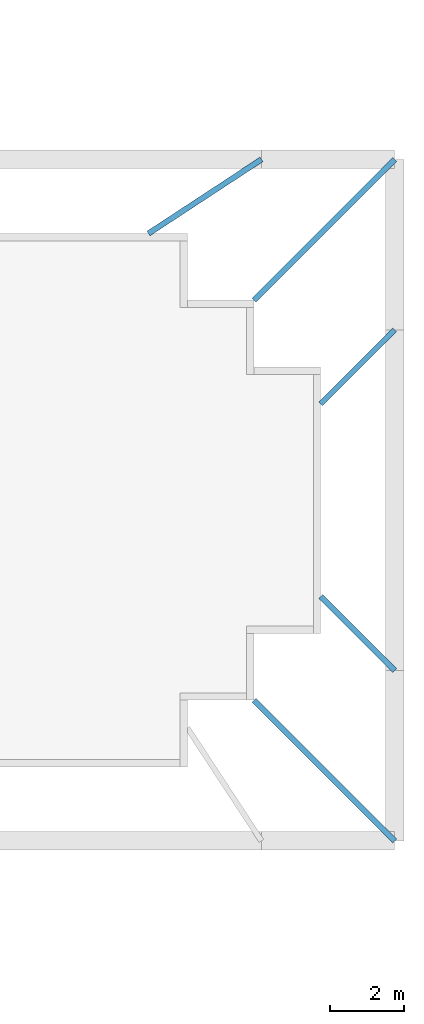
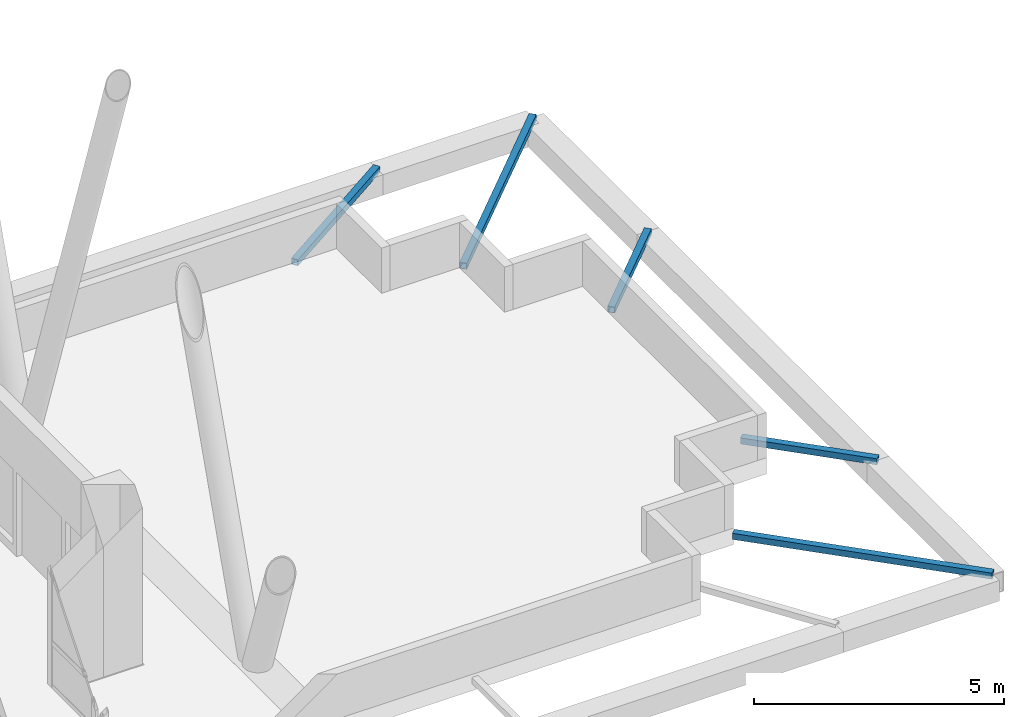
# One storey, part 17 of 19: 5 discrete accessories.
"""IFC4 building model written with IfcOpenShell, lengths in metres."""

import ifcopenshell
import ifcopenshell.guid

model = None  # the IFC model being written
_history = None  # IfcOwnerHistory: only IFC2X3 demands one
_inside = {}  # id of a spatial element -> (the spatial element, [elements in it])
_under = {}  # id of a project, library or spatial element -> (it, [spatial elements below it])
_declared = {}  # id of a project -> (the project, [libraries it declares])
_typed = {}  # id of a type object -> (the type object, [elements of that type])
_made_of = {}  # id of a material, layer set ... -> (it, [elements and type objects made of it])


def new_model(schema):
    """Start an empty IFC model of exactly this schema.

    Asked for "IFC4X3", IfcOpenShell would pick the latest addendum, in which some entities
    have other attributes; the version numbers below select the first issue.
    IFC2X3 requires an IfcOwnerHistory on every rooted entity: one is made here for all.
    """
    global model, _history
    if schema == "IFC4X3":
        model = ifcopenshell.file(schema_version=(4, 3, 0, 0))
    else:
        model = ifcopenshell.file(schema=schema)
    _inside.clear()
    _under.clear()
    _declared.clear()
    _typed.clear()
    _made_of.clear()
    _history = None
    if model.schema == "IFC2X3":
        org = make("IfcOrganization", Name="unknown")
        user = make(
            "IfcPersonAndOrganization",
            ThePerson=make("IfcPerson", FamilyName="unknown"),
            TheOrganization=org,
        )
        app = make(
            "IfcApplication",
            ApplicationDeveloper=org,
            Version="unknown",
            ApplicationFullName="unknown",
            ApplicationIdentifier="unknown",
        )
        _history = make(
            "IfcOwnerHistory",
            OwningUser=user,
            OwningApplication=app,
            ChangeAction="ADDED",
            CreationDate=0,
        )
    return model


def make(cls, **values):
    """One entity of the class cls with the attributes given. An attribute that is None is left unset."""
    return model.create_entity(
        cls, **{name: value for name, value in values.items() if value is not None}
    )


def rooted(cls, **values):
    """An entity with a GlobalId (a new one), such as an element, a storey or a relation."""
    return make(cls, GlobalId=ifcopenshell.guid.new(), OwnerHistory=_history, **values)


def si_unit(unit_type, name, prefix=None):
    """IfcSIUnit, for example si_unit("LENGTHUNIT", "METRE", prefix="MILLI")."""
    return make("IfcSIUnit", UnitType=unit_type, Prefix=prefix, Name=name)


def assignment(units):
    """IfcUnitAssignment: the units of a project."""
    return None if units is None else make("IfcUnitAssignment", Units=units)


def point(xyz):
    """IfcCartesianPoint."""
    return None if xyz is None else make("IfcCartesianPoint", Coordinates=xyz)


def direction(xyz):
    """IfcDirection."""
    return None if xyz is None else make("IfcDirection", DirectionRatios=xyz)


def frame(location, z_axis=None, x_axis=None):
    """IfcAxis2Placement3D, a coordinate frame: its origin and axes. An axis left out is left unset."""
    return make(
        "IfcAxis2Placement3D",
        Location=point(location),
        Axis=direction(z_axis),
        RefDirection=direction(x_axis),
    )


def frame_2d(location, x_axis=None):
    """IfcAxis2Placement2D, a coordinate frame in the plane: its origin and x axis."""
    return make(
        "IfcAxis2Placement2D", Location=point(location), RefDirection=direction(x_axis)
    )


def origin():
    """The frame at (0, 0, 0) with its axes left unset."""
    return frame((0.0, 0.0, 0.0))


def origin_2d():
    """The frame at (0, 0) in the plane with its x axis left unset."""
    return frame_2d((0.0, 0.0))


def place(relative_to, where):
    """IfcLocalPlacement: puts the frame where relative to a parent placement (None: the world)."""
    return make(
        "IfcLocalPlacement", PlacementRelTo=relative_to, RelativePlacement=where
    )


def context(
    kind, dimensions, precision=None, world=None, true_north=None, identifier=None
):
    """IfcGeometricRepresentationContext, for example the 3D "Model" context."""
    return make(
        "IfcGeometricRepresentationContext",
        ContextIdentifier=identifier,
        ContextType=kind,
        CoordinateSpaceDimension=dimensions,
        Precision=precision,
        WorldCoordinateSystem=world,
        TrueNorth=true_north,
    )


def subcontext(parent, identifier, kind, view, scale=None):
    """IfcGeometricRepresentationSubContext, for example "Body" below "Model"."""
    return make(
        "IfcGeometricRepresentationSubContext",
        ContextIdentifier=identifier,
        ContextType=kind,
        ParentContext=parent,
        TargetScale=scale,
        TargetView=view,
    )


def project(units=None, contexts=None):
    """IfcProject with its units and contexts."""
    return rooted(
        "IfcProject",
        Name="project",
        RepresentationContexts=contexts,
        UnitsInContext=assignment(units),
    )


def spatial(cls, under=None, at=None, **own):
    """A site, building, storey or space (cls), placed at a placement, below another one or the project."""
    s = rooted(cls, ObjectPlacement=at, **own)
    if under is not None:
        _under.setdefault(under.id(), (under, []))[1].append(s)
    return s


def profile(cls, at=None, kind="AREA", **sizes):
    """A parametric profile (cls). Its sizes go by their IFC names, for example OverallWidth=200.0."""
    return make(cls, ProfileType=kind, Position=at, **sizes)


def hollow_rectangle(**sizes):
    """IfcRectangleHollowProfileDef."""
    return profile("IfcRectangleHollowProfileDef", **sizes)


def extrude(swept, where, along, depth):
    """IfcExtrudedAreaSolid: the profile swept, set in the frame where, extruded along a direction by depth."""
    return make(
        "IfcExtrudedAreaSolid",
        SweptArea=swept,
        Position=where,
        ExtrudedDirection=direction(along),
        Depth=depth,
    )


def shape(context_of_items, identifier, shape_type, items):
    """IfcShapeRepresentation: the items that make up one representation, for example the "Body"."""
    return make(
        "IfcShapeRepresentation",
        ContextOfItems=context_of_items,
        RepresentationIdentifier=identifier,
        RepresentationType=shape_type,
        Items=items,
    )


def material(Name=None, Category=None):
    """IfcMaterial."""
    return make("IfcMaterial", Name=Name, Category=Category)


def made_of(thing, what):
    """Note that an element or type object is made of a material, layer set ...; save() writes the relation."""
    if what is not None:
        _made_of.setdefault(what.id(), (what, []))[1].append(thing)
    return thing


def element(
    cls,
    number,
    at=None,
    inside=None,
    cuts=None,
    type_object=None,
    material=None,
    context=None,
    identifier="Body",
    shape_type=None,
    held_by="IfcProductDefinitionShape",
    body=None,
    shapes=None,
    **own,
):
    """One element of the class cls, such as IfcWall. Its Tag is "e" and its number.

    at: its placement. inside: the storey or other place that contains it. cuts: it is an
    opening in that element (IfcRelVoidsElement). A single representation is given by context,
    identifier, shape_type and body (its items); several are given by shapes. held_by: the class
    of the entity that holds the representations. save() writes the other relations.
    """
    e = rooted(cls, Tag="e%d" % number, ObjectPlacement=at, **own)
    if body is not None:
        shapes = [shape(context, identifier, shape_type, body)]
    if shapes is not None:
        e.Representation = make(held_by, Representations=shapes)
    if inside is not None:
        _inside.setdefault(inside.id(), (inside, []))[1].append(e)
    if cuts is not None:
        rooted(
            "IfcRelVoidsElement", RelatingBuildingElement=cuts, RelatedOpeningElement=e
        )
    if type_object is not None:
        _typed.setdefault(type_object.id(), (type_object, []))[1].append(e)
    return made_of(e, material)


def aggregate(whole, parts):
    """IfcRelAggregates: a whole, such as a stair, and the parts it consists of."""
    return rooted("IfcRelAggregates", RelatingObject=whole, RelatedObjects=parts)


def save(model, path):
    """Write the relations noted so far, then the file.

    IfcRelAggregates (storeys below a building ...), IfcRelContainedInSpatialStructure (elements
    in a storey), IfcRelDefinesByType, IfcRelAssociatesMaterial and IfcRelDeclares: one each for
    every whole, place, type object, material and project.
    """
    for whole, parts in _under.values():
        aggregate(whole, parts)
    for where, things in _inside.values():
        rooted(
            "IfcRelContainedInSpatialStructure",
            RelatedElements=things,
            RelatingStructure=where,
        )
    for kind, things in _typed.values():
        rooted("IfcRelDefinesByType", RelatedObjects=things, RelatingType=kind)
    for what, things in _made_of.values():
        rooted("IfcRelAssociatesMaterial", RelatedObjects=things, RelatingMaterial=what)
    for by, libraries in _declared.values():
        rooted("IfcRelDeclares", RelatingContext=by, RelatedDefinitions=libraries)
    model.write(path)


model = new_model("IFC4")

# Units and contexts
model_context = context("Model", 3, precision=1e-05, world=origin(), true_north=direction((0.0, 1.0)))
body_context = subcontext(model_context, "Body", "Model", "MODEL_VIEW")
ifc_project = project(units=[si_unit("LENGTHUNIT", "METRE"), si_unit("AREAUNIT", "SQUARE_METRE"), si_unit("VOLUMEUNIT", "CUBIC_METRE"), si_unit("PLANEANGLEUNIT", "RADIAN"), si_unit("MASSUNIT", "GRAM", prefix="KILO")], contexts=[model_context])

# Site, building, storey
site_placement = place(None, origin())
site = spatial("IfcSite", under=ifc_project, at=site_placement, CompositionType="ELEMENT")
building_placement = place(site_placement, origin())
building = spatial("IfcBuilding", under=site, at=building_placement, Name="Fustian Cross Tower", CompositionType="ELEMENT")
storey_placement = place(building_placement, frame((0.0, 0.0, 166.5)))
storey = spatial("IfcBuildingStorey", under=building, at=storey_placement, Name="L52", CompositionType="ELEMENT", Elevation=166.5)

# Discrete accessories
ifc_material = material(Name="Steel S355", Category="steel")
discrete_accessory_1_placement = place(storey_placement, frame((45.199951171875, 4.60009765625, -0.14990234375), z_axis=(-0.707106781187, -0.707106781187, 0.0), x_axis=(0.707106781187, -0.707106781187, 0.0)))
element("IfcDiscreteAccessory", 1, at=discrete_accessory_1_placement, inside=storey, material=ifc_material, Name="Diagrid node bracket L52-01", PredefinedType="BRACKET", context=body_context, shape_type="SweptSolid", body=[
    extrude(hollow_rectangle(XDim=0.14990234375, YDim=0.14990234375, WallThickness=0.010009765625, at=origin_2d()), origin(), (0.0, 0.0, 1.0), 2.828369140625),
])
discrete_accessory_2_placement = place(storey_placement, frame((45.199951171875, 9.199951171875, -0.14990234375), z_axis=(-0.707106781187, -0.707106781187, 0.0), x_axis=(0.707106781187, -0.707106781187, 0.0)))
element("IfcDiscreteAccessory", 2, at=discrete_accessory_2_placement, inside=storey, material=ifc_material, Name="Diagrid node bracket L52-03", PredefinedType="BRACKET", context=body_context, shape_type="SweptSolid", body=[
    extrude(hollow_rectangle(XDim=0.14990234375, YDim=0.14990234375, WallThickness=0.010009765625, at=origin_2d()), origin(), (0.0, 0.0, 1.0), 5.3740234375),
])
discrete_accessory_3_placement = place(storey_placement, frame((41.60009765625, 9.199951171875, -0.14990234375), z_axis=(-0.836248392914, -0.548350823241, 0.0), x_axis=(0.548350823241, -0.836248392914, 0.0)))
element("IfcDiscreteAccessory", 3, at=discrete_accessory_3_placement, inside=storey, material=ifc_material, Name="Diagrid node bracket L52-04", PredefinedType="BRACKET", context=body_context, shape_type="SweptSolid", body=[
    extrude(hollow_rectangle(XDim=0.14990234375, YDim=0.14990234375, WallThickness=0.010009765625, at=origin_2d()), origin(), (0.0, 0.0, 1.0), 3.647216796875),
])
discrete_accessory_4_placement = place(storey_placement, frame((45.199951171875, -9.199951171875, -0.14990234375), z_axis=(-0.707106781187, 0.707106781187, 0.0), x_axis=(-0.707106781187, -0.707106781187, 0.0)))
element("IfcDiscreteAccessory", 4, at=discrete_accessory_4_placement, inside=storey, material=ifc_material, Name="Diagrid node bracket L52-51", PredefinedType="BRACKET", context=body_context, shape_type="SweptSolid", body=[
    extrude(hollow_rectangle(XDim=0.14990234375, YDim=0.14990234375, WallThickness=0.010009765625, at=origin_2d()), origin(), (0.0, 0.0, 1.0), 5.3740234375),
])
discrete_accessory_5_placement = place(storey_placement, frame((45.199951171875, -4.60009765625, -0.14990234375), z_axis=(-0.707106781187, 0.707106781187, 0.0), x_axis=(-0.707106781187, -0.707106781187, 0.0)))
element("IfcDiscreteAccessory", 5, at=discrete_accessory_5_placement, inside=storey, material=ifc_material, Name="Diagrid node bracket L52-53", PredefinedType="BRACKET", context=body_context, shape_type="SweptSolid", body=[
    extrude(hollow_rectangle(XDim=0.14990234375, YDim=0.14990234375, WallThickness=0.010009765625, at=origin_2d()), origin(), (0.0, 0.0, 1.0), 2.828369140625),
])

save(model, "model.ifc")
